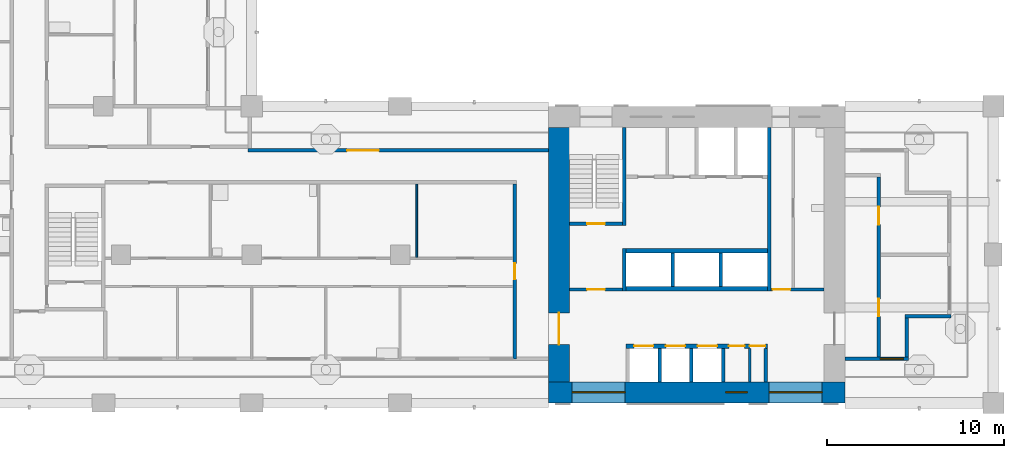
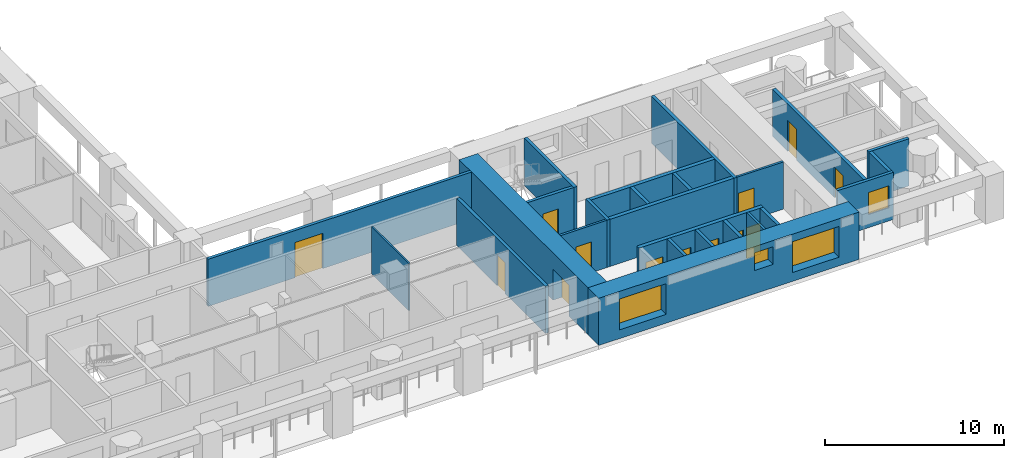
# One storey, part 5 of 18: 25 walls, 13 doors, 4 windows, 17 openings.
"""IFC4 building model written with IfcOpenShell, lengths in metres."""

from ifc_helpers import new_model, si_unit, direction, frame, frame_2d, origin, place, context, subcontext, project, spatial, rectangle, extrude, material, layer, layer_set, type_object, element, fill, save


model = new_model("IFC4")

# Units and contexts
model_context = context("Model", 3, precision=1e-05, world=origin(), true_north=direction((0.0, 1.0)))
body_context = subcontext(model_context, "Body", "Model", "MODEL_VIEW")
ifc_project = project(units=[si_unit("LENGTHUNIT", "METRE"), si_unit("AREAUNIT", "SQUARE_METRE"), si_unit("VOLUMEUNIT", "CUBIC_METRE"), si_unit("PLANEANGLEUNIT", "RADIAN"), si_unit("MASSUNIT", "GRAM", prefix="KILO")], contexts=[model_context])

# Site, building, storey
site_placement = place(None, origin())
site = spatial("IfcSite", under=ifc_project, at=site_placement, CompositionType="ELEMENT")
building_placement = place(site_placement, origin())
building = spatial("IfcBuilding", under=site, at=building_placement, Name="Vermilion Gate Residences", CompositionType="ELEMENT")
storey_placement = place(building_placement, frame((0.0, 0.0, 102.199951171875)))
storey = spatial("IfcBuildingStorey", under=building, at=storey_placement, Name="L25", CompositionType="ELEMENT", Elevation=102.199951171875)

# Wall
ifc_material_1 = material(Name="Masonry blockwork", Category="masonry")
ifc_layer_1 = layer(ifc_material_1, 0.14990234375)
ifc_layer_set_1 = layer_set([ifc_layer_1], Name="BLOCKWORK PARTITION 150 EI 120")
wall_type_1 = type_object("IfcWallType", Name="BLOCKWORK PARTITION 150 EI 120", PredefinedType="PARTITIONING", material=ifc_layer_set_1)
wall_1_placement = place(storey_placement, frame((53.407470703125, 9.60009765625, 0.0), z_axis=(0.0, 0.0, 1.0), x_axis=(0.0, 1.0, 0.0)))
element("IfcWall", 1, at=wall_1_placement, inside=storey, type_object=wall_type_1, Name="Core room partition A25-SR-P0", PredefinedType="PARTITIONING", context=body_context, shape_type="SweptSolid", body=[
    extrude(rectangle(XDim=1.89990234375, YDim=0.14990234375, at=frame_2d((0.949951171875, 0.0))), origin(), (0.0, 0.0, 1.0), 3.219970703125),
])

# Wall, opening, door
wall_2_placement = place(storey_placement, frame((43.199951171875, 14.824951171875, 0.0), z_axis=(0.0, 0.0, 1.0), x_axis=(1.0, 0.0, 0.0)))
wall_2 = element("IfcWall", 2, at=wall_2_placement, inside=storey, type_object=wall_type_1, Name="Core room partition A25-VW-S", PredefinedType="PARTITIONING", context=body_context, shape_type="SweptSolid", body=[
    extrude(rectangle(XDim=3.0, YDim=0.14990234375, at=frame_2d((1.5, 0.0))), origin(), (0.0, 0.0, 1.0), 3.219970703125),
])
opening_1_placement = place(wall_2_placement, frame((1.0, 0.0, 0.0)))
opening_1 = element("IfcOpeningElement", 3, at=opening_1_placement, cuts=wall_2, Name="Opening DK25012", PredefinedType="OPENING", context=body_context, shape_type="SweptSolid", body=[
    extrude(rectangle(XDim=1.0, YDim=2.10009765625, at=frame_2d((0.5, 1.050048828125))), frame((0.0, 0.0849609375, 0.0), z_axis=(0.0, -1.0, 0.0), x_axis=(1.0, 0.0, 0.0)), (0.0, 0.0, 1.0), 0.169921875),
])
ifc_material_2 = material(Name="Steel", Category="steel")
door_type_1 = type_object("IfcDoorType", Name="FIRE DOOR FD60 1000 X 2100", OperationType="SINGLE_SWING_LEFT", PredefinedType="DOOR", material=ifc_material_2)
door_1_placement = place(opening_1_placement, frame((1.0, 0.0, 0.0), z_axis=(0.0, 0.0, 1.0), x_axis=(-1.0, 0.0, 0.0)))
door_1 = element("IfcDoor", 4, at=door_1_placement, inside=storey, type_object=door_type_1, Name="Stair vestibule door A25", OperationType="SINGLE_SWING_RIGHT", OverallHeight=2.10009765625, OverallWidth=1.0, PredefinedType="DOOR", context=body_context, shape_type="SweptSolid", body=[
    extrude(rectangle(XDim=1.0, YDim=2.10009765625, at=frame_2d((0.5, 1.050048828125))), frame((0.0, 0.02490234375, 0.0), z_axis=(0.0, -1.0, 0.0), x_axis=(1.0, 0.0, 0.0)), (0.0, 0.0, 1.0), 0.050048828125),
])
fill(opening_1, door_1)

wall_3_placement = place(storey_placement, frame((54.60009765625, 14.824951171875, 0.0), z_axis=(0.0, 0.0, 1.0), x_axis=(1.0, 0.0, 0.0)))
wall_3 = element("IfcWall", 5, at=wall_3_placement, inside=storey, type_object=wall_type_1, Name="Core room partition A25-ES-S", PredefinedType="PARTITIONING", context=body_context, shape_type="SweptSolid", body=[
    extrude(rectangle(XDim=3.0, YDim=0.14990234375, at=frame_2d((1.5, 0.0))), origin(), (0.0, 0.0, 1.0), 3.219970703125),
])
opening_2_placement = place(wall_3_placement, frame((0.10009765625, 0.0, 0.0)))
opening_2 = element("IfcOpeningElement", 6, at=opening_2_placement, cuts=wall_3, Name="Opening DK25014", PredefinedType="OPENING", context=body_context, shape_type="SweptSolid", body=[
    extrude(rectangle(XDim=1.0, YDim=2.10009765625, at=frame_2d((0.5, 1.050048828125))), frame((0.0, 0.0849609375, 0.0), z_axis=(0.0, -1.0, 0.0), x_axis=(1.0, 0.0, 0.0)), (0.0, 0.0, 1.0), 0.169921875),
])
door_2_placement = place(opening_2_placement, frame((1.0, 0.0, 0.0), z_axis=(0.0, 0.0, 1.0), x_axis=(-1.0, 0.0, 0.0)))
door_2 = element("IfcDoor", 7, at=door_2_placement, inside=storey, type_object=door_type_1, Name="Service corridor door A25", OperationType="SINGLE_SWING_LEFT", OverallHeight=2.10009765625, OverallWidth=1.0, PredefinedType="DOOR", context=body_context, shape_type="SweptSolid", body=[
    extrude(rectangle(XDim=1.0, YDim=2.10009765625, at=frame_2d((0.5, 1.050048828125))), frame((0.0, 0.02490234375, 0.0), z_axis=(0.0, -1.0, 0.0), x_axis=(1.0, 0.0, 0.0)), (0.0, 0.0, 1.0), 0.050048828125),
])
fill(opening_2, door_2)

# Wall, opening, window
ifc_material_3 = material(Name="Insulated steel stud wall with terracotta rainscreen", Category="masonry")
ifc_layer_2 = layer(ifc_material_3, 0.199951171875)
ifc_layer_set_2 = layer_set([ifc_layer_2], Name="EXTERNAL WALL 200 TERRACOTTA RAINSCREEN")
wall_type_2 = type_object("IfcWallType", Name="EXTERNAL WALL 200 TERRACOTTA RAINSCREEN", PredefinedType="SOLIDWALL", material=ifc_layer_set_2)
wall_4_placement = place(storey_placement, frame((58.800048828125, 10.89990234375, 0.0), z_axis=(0.0, 0.0, 1.0), x_axis=(1.0, 0.0, 0.0)))
wall_4 = element("IfcWall", 8, at=wall_4_placement, inside=storey, type_object=wall_type_2, Name="External wall", PredefinedType="SOLIDWALL", context=body_context, shape_type="SweptSolid", body=[
    extrude(rectangle(XDim=3.599853515625, YDim=0.199951171875, at=frame_2d((1.7998046875, 0.0))), origin(), (0.0, 0.0, 1.0), 3.219970703125),
])
opening_3_placement = place(wall_4_placement, frame((2.0, 0.0, 0.89990234375)))
opening_3 = element("IfcOpeningElement", 9, at=opening_3_placement, cuts=wall_4, Name="Opening WE25020", PredefinedType="OPENING", context=body_context, shape_type="SweptSolid", body=[
    extrude(rectangle(XDim=1.300048828125, YDim=1.5, at=frame_2d((0.64990234375, 0.75))), frame((0.0, 0.10986328125, 0.0), z_axis=(0.0, -1.0, 0.0), x_axis=(1.0, 0.0, 0.0)), (0.0, 0.0, 1.0), 0.219970703125),
])
ifc_material_4 = material(Name="Aluminium and clear glass", Category="aluminium")
window_type_1 = type_object("IfcWindowType", Name="WINDOW 1300 X 1500", PartitioningType="SINGLE_PANEL", PredefinedType="WINDOW", material=ifc_material_4)
window_1_placement = place(opening_3_placement, origin())
window_1 = element("IfcWindow", 10, at=window_1_placement, inside=storey, type_object=window_type_1, Name="Window", OverallHeight=1.5, OverallWidth=1.300048828125, PartitioningType="SINGLE_PANEL", PredefinedType="WINDOW", context=body_context, shape_type="SweptSolid", body=[
    extrude(rectangle(XDim=1.300048828125, YDim=1.5, at=frame_2d((0.64990234375, 0.75))), frame((0.0, 0.030029296875, 0.0), z_axis=(0.0, -1.0, 0.0), x_axis=(1.0, 0.0, 0.0)), (0.0, 0.0, 1.0), 0.06005859375),
])
fill(opening_3, window_1)

# Walls
wall_5_placement = place(storey_placement, frame((62.300048828125, 11.0, 0.0), z_axis=(0.0, 0.0, 1.0), x_axis=(0.0, 1.0, 0.0)))
element("IfcWall", 11, at=wall_5_placement, inside=storey, type_object=wall_type_2, Name="External wall", PredefinedType="SOLIDWALL", context=body_context, shape_type="SweptSolid", body=[
    extrude(rectangle(XDim=2.199951171875, YDim=0.199951171875, at=frame_2d((1.10009765625, 0.0))), origin(), (0.0, 0.0, 1.0), 3.219970703125),
])
wall_6_placement = place(storey_placement, frame((62.199951171875, 13.300048828125, 0.0), z_axis=(0.0, 0.0, 1.0), x_axis=(1.0, 0.0, 0.0)))
element("IfcWall", 12, at=wall_6_placement, inside=storey, type_object=wall_type_2, Name="External wall", PredefinedType="SOLIDWALL", context=body_context, shape_type="SweptSolid", body=[
    extrude(rectangle(XDim=2.60009765625, YDim=0.199951171875, at=frame_2d((1.300048828125, 0.0))), origin(), (0.0, 0.0, 1.0), 3.219970703125),
])

# Wall, opening, door
wall_7_placement = place(storey_placement, frame((42.0, 22.699951171875, 0.0), z_axis=(0.0, 0.0, 1.0), x_axis=(-1.0, 0.0, 0.0)))
wall_7 = element("IfcWall", 13, at=wall_7_placement, inside=storey, type_object=wall_type_2, Name="External wall", PredefinedType="SOLIDWALL", context=body_context, shape_type="SweptSolid", body=[
    extrude(rectangle(XDim=17.0, YDim=0.199951171875, at=frame_2d((8.5, 0.0))), origin(), (0.0, 0.0, 1.0), 3.219970703125),
])
opening_4_placement = place(wall_7_placement, frame((9.60009765625, 0.0, 0.0)))
opening_4 = element("IfcOpeningElement", 14, at=opening_4_placement, cuts=wall_7, Name="Opening DE25029", PredefinedType="OPENING", context=body_context, shape_type="SweptSolid", body=[
    extrude(rectangle(XDim=1.800048828125, YDim=2.39990234375, at=frame_2d((0.89990234375, 1.199951171875))), frame((0.0, 0.10986328125, 0.0), z_axis=(0.0, -1.0, 0.0), x_axis=(1.0, 0.0, 0.0)), (0.0, 0.0, 1.0), 0.219970703125),
])
ifc_material_5 = material(Name="Aluminium and clear glass", Category="aluminium")
door_type_2 = type_object("IfcDoorType", Name="GLAZED EXTERNAL DOOR 1800 X 2400", OperationType="DOUBLE_DOOR_SINGLE_SWING", PredefinedType="DOOR", material=ifc_material_5)
door_3_placement = place(opening_4_placement, frame((1.800048828125, 0.0, 0.0), z_axis=(0.0, 0.0, 1.0), x_axis=(-1.0, 0.0, 0.0)))
door_3 = element("IfcDoor", 15, at=door_3_placement, inside=storey, type_object=door_type_2, Name="Gallery door", OperationType="DOUBLE_DOOR_SINGLE_SWING", OverallHeight=2.39990234375, OverallWidth=1.800048828125, PredefinedType="DOOR", context=body_context, shape_type="SweptSolid", body=[
    extrude(rectangle(XDim=1.800048828125, YDim=2.39990234375, at=frame_2d((0.89990234375, 1.199951171875))), frame((0.0, 0.02490234375, 0.0), z_axis=(0.0, -1.0, 0.0), x_axis=(1.0, 0.0, 0.0)), (0.0, 0.0, 1.0), 0.050048828125),
])
fill(opening_4, door_3)

# Wall
ifc_material_6 = material(Name="Plasterboard on steel studs", Category="steel")
ifc_layer_3 = layer(ifc_material_6, 0.10009765625)
ifc_layer_set_3 = layer_set([ifc_layer_3], Name="PARTITION 100")
wall_type_3 = type_object("IfcWallType", Name="PARTITION 100", PredefinedType="PARTITIONING", material=ifc_layer_set_3)
wall_8_placement = place(storey_placement, frame((34.550048828125, 16.64990234375, 0.0), z_axis=(0.0, 0.0, 1.0), x_axis=(0.0, 1.0, 0.0)))
element("IfcWall", 16, at=wall_8_placement, inside=storey, type_object=wall_type_3, Name="Partition", PredefinedType="PARTITIONING", context=body_context, shape_type="SweptSolid", body=[
    extrude(rectangle(XDim=4.150146484375, YDim=0.10009765625, at=frame_2d((2.0751953125, 0.0))), origin(), (0.0, 0.0, 1.0), 3.219970703125),
])

# Wall, opening, door
ifc_material_7 = material(Name="Fire-rated plasterboard on steel studs", Category="steel")
ifc_layer_4 = layer(ifc_material_7, 0.199951171875)
ifc_layer_set_4 = layer_set([ifc_layer_4], Name="PARTY WALL 200 EI 120")
wall_type_4 = type_object("IfcWallType", Name="PARTY WALL 200 EI 120", PredefinedType="PARTITIONING", material=ifc_layer_set_4)
wall_9_placement = place(storey_placement, frame((40.10009765625, 10.89990234375, 0.0), z_axis=(0.0, 0.0, 1.0), x_axis=(0.0, 1.0, 0.0)))
wall_9 = element("IfcWall", 17, at=wall_9_placement, inside=storey, type_object=wall_type_4, Name="Party and corridor wall", PredefinedType="PARTITIONING", context=body_context, shape_type="SweptSolid", body=[
    extrude(rectangle(XDim=9.900146484375, YDim=0.199951171875, at=frame_2d((4.9501953125, 0.0))), origin(), (0.0, 0.0, 1.0), 3.219970703125),
])
opening_5_placement = place(wall_9_placement, frame((4.5, 0.0, 0.0)))
opening_5 = element("IfcOpeningElement", 18, at=opening_5_placement, cuts=wall_9, Name="Opening DA25041", PredefinedType="OPENING", context=body_context, shape_type="SweptSolid", body=[
    extrude(rectangle(XDim=0.89990234375, YDim=2.10009765625, at=frame_2d((0.449951171875, 1.050048828125))), frame((0.0, 0.10986328125, 0.0), z_axis=(0.0, -1.0, 0.0), x_axis=(1.0, 0.0, 0.0)), (0.0, 0.0, 1.0), 0.219970703125),
])
ifc_material_8 = material(Name="Timber", Category="wood")
door_type_3 = type_object("IfcDoorType", Name="INTERIOR DOOR 900 X 2100", OperationType="SINGLE_SWING_LEFT", PredefinedType="DOOR", material=ifc_material_8)
door_4_placement = place(opening_5_placement, origin())
door_4 = element("IfcDoor", 19, at=door_4_placement, inside=storey, type_object=door_type_3, Name="Interior door", OperationType="SINGLE_SWING_RIGHT", OverallHeight=2.10009765625, OverallWidth=0.89990234375, PredefinedType="DOOR", context=body_context, shape_type="SweptSolid", body=[
    extrude(rectangle(XDim=0.89990234375, YDim=2.10009765625, at=frame_2d((0.449951171875, 1.050048828125))), frame((0.0, 0.02490234375, 0.0), z_axis=(0.0, -1.0, 0.0), x_axis=(1.0, 0.0, 0.0)), (0.0, 0.0, 1.0), 0.050048828125),
])
fill(opening_5, door_4)

# Wall, openings, doors
wall_10_placement = place(storey_placement, frame((60.699951171875, 10.89990234375, 0.0), z_axis=(0.0, 0.0, 1.0), x_axis=(0.0, 1.0, 0.0)))
wall_10 = element("IfcWall", 20, at=wall_10_placement, inside=storey, type_object=wall_type_4, Name="Party and corridor wall", PredefinedType="PARTITIONING", context=body_context, shape_type="SweptSolid", body=[
    extrude(rectangle(XDim=10.300048828125, YDim=0.199951171875, at=frame_2d((5.14990234375, 0.0))), origin(), (0.0, 0.0, 1.0), 3.219970703125),
])
opening_6_placement = place(wall_10_placement, frame((2.39990234375, 0.0, 0.0)))
opening_6 = element("IfcOpeningElement", 21, at=opening_6_placement, cuts=wall_10, Name="Opening DA25042", PredefinedType="OPENING", context=body_context, shape_type="SweptSolid", body=[
    extrude(rectangle(XDim=1.0, YDim=2.10009765625, at=frame_2d((0.5, 1.050048828125))), frame((0.0, 0.10986328125, 0.0), z_axis=(0.0, -1.0, 0.0), x_axis=(1.0, 0.0, 0.0)), (0.0, 0.0, 1.0), 0.219970703125),
])
opening_7_placement = place(wall_10_placement, frame((7.60009765625, 0.0, 0.0)))
opening_7 = element("IfcOpeningElement", 22, at=opening_7_placement, cuts=wall_10, Name="Opening DA25043", PredefinedType="OPENING", context=body_context, shape_type="SweptSolid", body=[
    extrude(rectangle(XDim=1.0, YDim=2.10009765625, at=frame_2d((0.5, 1.050048828125))), frame((0.0, 0.10986328125, 0.0), z_axis=(0.0, -1.0, 0.0), x_axis=(1.0, 0.0, 0.0)), (0.0, 0.0, 1.0), 0.219970703125),
])
ifc_material_9 = material(Name="Steel", Category="steel")
door_type_4 = type_object("IfcDoorType", Name="ENTRANCE DOOR 1000 X 2100 FD30", OperationType="SINGLE_SWING_LEFT", PredefinedType="DOOR", material=ifc_material_9)
door_5_placement = place(opening_6_placement, frame((1.0, 0.0, 0.0), z_axis=(0.0, 0.0, 1.0), x_axis=(-1.0, 0.0, 0.0)))
door_5 = element("IfcDoor", 23, at=door_5_placement, inside=storey, type_object=door_type_4, Name="Entrance door", OperationType="SINGLE_SWING_RIGHT", OverallHeight=2.10009765625, OverallWidth=1.0, PredefinedType="DOOR", context=body_context, shape_type="SweptSolid", body=[
    extrude(rectangle(XDim=1.0, YDim=2.10009765625, at=frame_2d((0.5, 1.050048828125))), frame((0.0, 0.02490234375, 0.0), z_axis=(0.0, -1.0, 0.0), x_axis=(1.0, 0.0, 0.0)), (0.0, 0.0, 1.0), 0.050048828125),
])
fill(opening_6, door_5)
door_6_placement = place(opening_7_placement, frame((1.0, 0.0, 0.0), z_axis=(0.0, 0.0, 1.0), x_axis=(-1.0, 0.0, 0.0)))
door_6 = element("IfcDoor", 24, at=door_6_placement, inside=storey, type_object=door_type_4, Name="Entrance door", OperationType="SINGLE_SWING_RIGHT", OverallHeight=2.10009765625, OverallWidth=1.0, PredefinedType="DOOR", context=body_context, shape_type="SweptSolid", body=[
    extrude(rectangle(XDim=1.0, YDim=2.10009765625, at=frame_2d((0.5, 1.050048828125))), frame((0.0, 0.02490234375, 0.0), z_axis=(0.0, -1.0, 0.0), x_axis=(1.0, 0.0, 0.0)), (0.0, 0.0, 1.0), 0.050048828125),
])
fill(opening_7, door_6)

# Walls
ifc_material_10 = material(Name="Concrete C60", Category="concrete")
ifc_layer_5 = layer(ifc_material_10, 0.199951171875)
ifc_layer_set_5 = layer_set([ifc_layer_5], Name="RC CORE INTERNAL WALL 200 C60")
wall_type_5 = type_object("IfcWallType", Name="RC CORE INTERNAL WALL 200 C60", PredefinedType="SHEAR", material=ifc_layer_set_5)
for number, where, z_axis, x_axis, name in (
    (25, (48.300048828125, 9.60009765625, 0.0), (0.0, 0.0, 1.0), (0.0, 1.0, 0.0), "Core internal wall A25-LR-D1"),
    (26, (50.10009765625, 9.60009765625, 0.0), (0.0, 0.0, 1.0), (0.0, 1.0, 0.0), "Core internal wall A25-LR-D2"),
    (27, (51.89990234375, 9.60009765625, 0.0), (0.0, 0.0, 1.0), (0.0, 1.0, 0.0), "Core internal wall A25-LR-D3"),
    (28, (54.300048828125, 9.60009765625, 0.0), (0.0, 0.0, 1.0), (0.0, 1.0, 0.0), "Core internal wall A25-LR-DE"),
    (29, (49.033447265625, 15.0, 0.0), (0.0, 0.0, 1.0), (0.0, 1.0, 0.0), "Core internal wall A25-HR-D1"),
    (30, (51.7666015625, 15.0, 0.0), (0.0, 0.0, 1.0), (0.0, 1.0, 0.0), "Core internal wall A25-HR-D2"),
):
    element("IfcWall", number, at=place(storey_placement, frame(where, z_axis=z_axis, x_axis=x_axis)), inside=storey, type_object=wall_type_5, Name=name, PredefinedType="SHEAR", context=body_context, shape_type="SweptSolid", body=[
        extrude(rectangle(XDim=1.89990234375, YDim=0.199951171875, at=frame_2d((0.949951171875, 0.0))), origin(), (0.0, 0.0, 1.0), 3.219970703125),
    ])
wall_11_placement = place(storey_placement, frame((46.300048828125, 14.75, 0.0), z_axis=(0.0, 0.0, 1.0), x_axis=(0.0, 1.0, 0.0)))
element("IfcWall", 31, at=wall_11_placement, inside=storey, type_object=wall_type_5, Name="Core internal wall A25-WDIV1", PredefinedType="SHEAR", context=body_context, shape_type="SweptSolid", body=[
    extrude(rectangle(XDim=2.39990234375, YDim=0.199951171875, at=frame_2d((1.199951171875, 0.0))), origin(), (0.0, 0.0, 1.0), 3.219970703125),
])
wall_12_placement = place(storey_placement, frame((46.300048828125, 18.449951171875, 0.0), z_axis=(0.0, 0.0, 1.0), x_axis=(0.0, 1.0, 0.0)))
element("IfcWall", 32, at=wall_12_placement, inside=storey, type_object=wall_type_5, Name="Core internal wall A25-WDIV2", PredefinedType="SHEAR", context=body_context, shape_type="SweptSolid", body=[
    extrude(rectangle(XDim=5.550048828125, YDim=0.199951171875, at=frame_2d((2.77490234375, 0.0))), origin(), (0.0, 0.0, 1.0), 3.219970703125),
])

# Wall, opening, door
wall_13_placement = place(storey_placement, frame((43.199951171875, 18.550048828125, 0.0), z_axis=(0.0, 0.0, 1.0), x_axis=(1.0, 0.0, 0.0)))
wall_13 = element("IfcWall", 33, at=wall_13_placement, inside=storey, type_object=wall_type_5, Name="Core internal wall A25-STW-S", PredefinedType="SHEAR", context=body_context, shape_type="SweptSolid", body=[
    extrude(rectangle(XDim=3.0, YDim=0.199951171875, at=frame_2d((1.5, 0.0))), origin(), (0.0, 0.0, 1.0), 3.219970703125),
])
opening_8_placement = place(wall_13_placement, frame((1.0, 0.0, 0.0)))
opening_8 = element("IfcOpeningElement", 34, at=opening_8_placement, cuts=wall_13, Name="Opening DK25013", PredefinedType="OPENING", context=body_context, shape_type="SweptSolid", body=[
    extrude(rectangle(XDim=1.0, YDim=2.10009765625, at=frame_2d((0.5, 1.050048828125))), frame((0.0, 0.10986328125, 0.0), z_axis=(0.0, -1.0, 0.0), x_axis=(1.0, 0.0, 0.0)), (0.0, 0.0, 1.0), 0.219970703125),
])
door_7_placement = place(opening_8_placement, origin())
door_7 = element("IfcDoor", 35, at=door_7_placement, inside=storey, type_object=door_type_1, Name="Stair door A25", OperationType="SINGLE_SWING_LEFT", OverallHeight=2.10009765625, OverallWidth=1.0, PredefinedType="DOOR", context=body_context, shape_type="SweptSolid", body=[
    extrude(rectangle(XDim=1.0, YDim=2.10009765625, at=frame_2d((0.5, 1.050048828125))), frame((0.0, 0.02490234375, 0.0), z_axis=(0.0, -1.0, 0.0), x_axis=(1.0, 0.0, 0.0)), (0.0, 0.0, 1.0), 0.050048828125),
])
fill(opening_8, door_7)

# Wall
wall_14_placement = place(storey_placement, frame((54.5, 14.75, 0.0), z_axis=(0.0, 0.0, 1.0), x_axis=(0.0, 1.0, 0.0)))
element("IfcWall", 36, at=wall_14_placement, inside=storey, type_object=wall_type_5, Name="Core internal wall A25-EDIV", PredefinedType="SHEAR", context=body_context, shape_type="SweptSolid", body=[
    extrude(rectangle(XDim=9.25, YDim=0.199951171875, at=frame_2d((4.625, 0.0))), origin(), (0.0, 0.0, 1.0), 3.219970703125),
])

# Wall, opening, door
ifc_material_11 = material(Name="Concrete C70", Category="concrete")
ifc_layer_6 = layer(ifc_material_11, 1.199951171875)
ifc_layer_set_6 = layer_set([ifc_layer_6], Name="RC CORE WALL 1200 C70")
wall_type_6 = type_object("IfcWallType", Name="RC CORE WALL 1200 C70", PredefinedType="SHEAR", material=ifc_layer_set_6)
wall_15_placement = place(storey_placement, frame((42.60009765625, 9.60009765625, 0.0), z_axis=(0.0, 0.0, 1.0), x_axis=(0.0, 1.0, 0.0)))
wall_15 = element("IfcWall", 37, at=wall_15_placement, inside=storey, type_object=wall_type_6, Name="Core wall A25-OUT-FR", PredefinedType="SHEAR", context=body_context, shape_type="SweptSolid", body=[
    extrude(rectangle(XDim=14.39990234375, YDim=1.199951171875, at=frame_2d((7.199951171875, 0.0))), origin(), (0.0, 0.0, 1.0), 3.219970703125),
])
opening_9_placement = place(wall_15_placement, frame((2.10009765625, 0.0, 0.0)))
opening_9 = element("IfcOpeningElement", 38, at=opening_9_placement, cuts=wall_15, Name="Opening DK25001", PredefinedType="OPENING", context=body_context, shape_type="SweptSolid", body=[
    extrude(rectangle(XDim=1.800048828125, YDim=2.10009765625, at=frame_2d((0.89990234375, 1.050048828125))), frame((0.0, 0.60986328125, 0.0), z_axis=(0.0, -1.0, 0.0), x_axis=(1.0, 0.0, 0.0)), (0.0, 0.0, 1.0), 1.219970703125),
])
ifc_material_12 = material(Name="Steel", Category="steel")
door_type_5 = type_object("IfcDoorType", Name="CORE LOBBY DOOR FD60 1800 X 2100", OperationType="DOUBLE_DOOR_SINGLE_SWING", PredefinedType="DOOR", material=ifc_material_12)
door_8_placement = place(opening_9_placement, frame((1.800048828125, 0.0, 0.0), z_axis=(0.0, 0.0, 1.0), x_axis=(-1.0, 0.0, 0.0)))
door_8 = element("IfcDoor", 39, at=door_8_placement, inside=storey, type_object=door_type_5, Name="Core lobby door A25", OperationType="DOUBLE_DOOR_SINGLE_SWING", OverallHeight=2.10009765625, OverallWidth=1.800048828125, PredefinedType="DOOR", context=body_context, shape_type="SweptSolid", body=[
    extrude(rectangle(XDim=1.800048828125, YDim=2.10009765625, at=frame_2d((0.89990234375, 1.050048828125))), frame((0.0, 0.02490234375, 0.0), z_axis=(0.0, -1.0, 0.0), x_axis=(1.0, 0.0, 0.0)), (0.0, 0.0, 1.0), 0.050048828125),
])
fill(opening_9, door_8)

# Wall, openings, windows
ifc_material_13 = material(Name="Concrete C70 red-oxide pigmented", Category="concrete")
ifc_layer_7 = layer(ifc_material_13, 1.199951171875)
ifc_layer_set_7 = layer_set([ifc_layer_7], Name="RC CORE WALL 1200 C70 RED OXIDE")
wall_type_7 = type_object("IfcWallType", Name="RC CORE WALL 1200 C70 RED OXIDE", PredefinedType="SHEAR", material=ifc_layer_set_7)
wall_16_placement = place(storey_placement, frame((42.0, 9.0, 0.0), z_axis=(0.0, 0.0, 1.0), x_axis=(1.0, 0.0, 0.0)))
wall_16 = element("IfcWall", 40, at=wall_16_placement, inside=storey, type_object=wall_type_7, Name="Core wall A25-OUT-B0", PredefinedType="SHEAR", context=body_context, shape_type="SweptSolid", body=[
    extrude(rectangle(XDim=16.800048828125, YDim=1.199951171875, at=frame_2d((8.39990234375, 0.0))), origin(), (0.0, 0.0, 1.0), 3.219970703125),
])
opening_10_placement = place(wall_16_placement, frame((1.35009765625, 0.0, 0.60009765625)))
opening_10 = element("IfcOpeningElement", 41, at=opening_10_placement, cuts=wall_16, Name="Opening WKA2501", PredefinedType="OPENING", context=body_context, shape_type="SweptSolid", body=[
    extrude(rectangle(XDim=3.0, YDim=2.10009765625, at=frame_2d((1.5, 1.050048828125))), frame((0.0, 0.60986328125, 0.0), z_axis=(0.0, -1.0, 0.0), x_axis=(1.0, 0.0, 0.0)), (0.0, 0.0, 1.0), 1.219970703125),
])
opening_11_placement = place(wall_16_placement, frame((10.050048828125, 0.0, 1.60009765625)))
opening_11 = element("IfcOpeningElement", 42, at=opening_11_placement, cuts=wall_16, Name="Opening WKA2502", PredefinedType="OPENING", context=body_context, shape_type="SweptSolid", body=[
    extrude(rectangle(XDim=1.199951171875, YDim=1.199951171875, at=frame_2d((0.60009765625, 0.60009765625))), frame((0.0, 0.60986328125, 0.0), z_axis=(0.0, -1.0, 0.0), x_axis=(1.0, 0.0, 0.0)), (0.0, 0.0, 1.0), 1.219970703125),
])
opening_12_placement = place(wall_16_placement, frame((12.5, 0.0, 0.60009765625)))
opening_12 = element("IfcOpeningElement", 43, at=opening_12_placement, cuts=wall_16, Name="Opening WKA2503", PredefinedType="OPENING", context=body_context, shape_type="SweptSolid", body=[
    extrude(rectangle(XDim=3.0, YDim=2.10009765625, at=frame_2d((1.5, 1.050048828125))), frame((0.0, 0.60986328125, 0.0), z_axis=(0.0, -1.0, 0.0), x_axis=(1.0, 0.0, 0.0)), (0.0, 0.0, 1.0), 1.219970703125),
])
ifc_material_14 = material(Name="Aluminium and clear glass", Category="aluminium")
window_type_2 = type_object("IfcWindowType", Name="CORE LOBBY WINDOW 3000 X 2100", PartitioningType="SINGLE_PANEL", PredefinedType="WINDOW", material=ifc_material_14)
window_2_placement = place(opening_10_placement, origin())
window_2 = element("IfcWindow", 44, at=window_2_placement, inside=storey, type_object=window_type_2, Name="Core lobby window", OverallHeight=2.10009765625, OverallWidth=3.0, PartitioningType="SINGLE_PANEL", PredefinedType="WINDOW", context=body_context, shape_type="SweptSolid", body=[
    extrude(rectangle(XDim=3.0, YDim=2.10009765625, at=frame_2d((1.5, 1.050048828125))), frame((0.0, 0.030029296875, 0.0), z_axis=(0.0, -1.0, 0.0), x_axis=(1.0, 0.0, 0.0)), (0.0, 0.0, 1.0), 0.06005859375),
])
fill(opening_10, window_2)
window_3_placement = place(opening_12_placement, origin())
window_3 = element("IfcWindow", 45, at=window_3_placement, inside=storey, type_object=window_type_2, Name="Core lobby window", OverallHeight=2.10009765625, OverallWidth=3.0, PartitioningType="SINGLE_PANEL", PredefinedType="WINDOW", context=body_context, shape_type="SweptSolid", body=[
    extrude(rectangle(XDim=3.0, YDim=2.10009765625, at=frame_2d((1.5, 1.050048828125))), frame((0.0, 0.030029296875, 0.0), z_axis=(0.0, -1.0, 0.0), x_axis=(1.0, 0.0, 0.0)), (0.0, 0.0, 1.0), 0.06005859375),
])
fill(opening_12, window_3)
ifc_material_15 = material(Name="Aluminium frame with louvre blades", Category="aluminium")
window_type_3 = type_object("IfcWindowType", Name="CORE LOUVRE 1200 X 1200", PartitioningType="SINGLE_PANEL", PredefinedType="WINDOW", material=ifc_material_15)
window_4_placement = place(opening_11_placement, origin())
window_4 = element("IfcWindow", 46, at=window_4_placement, inside=storey, type_object=window_type_3, Name="Core louvre", OverallHeight=1.199951171875, OverallWidth=1.199951171875, PartitioningType="SINGLE_PANEL", PredefinedType="WINDOW", context=body_context, shape_type="SweptSolid", body=[
    extrude(rectangle(XDim=1.199951171875, YDim=1.199951171875, at=frame_2d((0.60009765625, 0.60009765625))), frame((0.0, 0.030029296875, 0.0), z_axis=(0.0, -1.0, 0.0), x_axis=(1.0, 0.0, 0.0)), (0.0, 0.0, 1.0), 0.06005859375),
])
fill(opening_11, window_4)

# Wall, openings, doors
ifc_material_16 = material(Name="Concrete C60", Category="concrete")
ifc_layer_8 = layer(ifc_material_16, 0.25)
ifc_layer_set_8 = layer_set([ifc_layer_8], Name="RC LIFT SHAFT WALL 250 C60")
wall_type_8 = type_object("IfcWallType", Name="RC LIFT SHAFT WALL 250 C60", PredefinedType="SHEAR", material=ifc_layer_set_8)
wall_17_placement = place(storey_placement, frame((46.39990234375, 11.625, 0.0), z_axis=(0.0, 0.0, 1.0), x_axis=(1.0, 0.0, 0.0)))
wall_17 = element("IfcWall", 47, at=wall_17_placement, inside=storey, type_object=wall_type_8, Name="Lift shaft wall A25-LR-F", PredefinedType="SHEAR", context=body_context, shape_type="SweptSolid", body=[
    extrude(rectangle(XDim=8.0, YDim=0.25, at=frame_2d((4.0, 0.0))), origin(), (0.0, 0.0, 1.0), 3.219970703125),
])
opening_13_placement = place(wall_17_placement, frame((0.449951171875, 0.0, 0.0)))
opening_13 = element("IfcOpeningElement", 48, at=opening_13_placement, cuts=wall_17, Name="Opening LD", PredefinedType="OPENING", context=body_context, shape_type="SweptSolid", body=[
    extrude(rectangle(XDim=1.10009765625, YDim=2.10009765625, at=frame_2d((0.550048828125, 1.050048828125))), frame((0.0, 0.135009765625, 0.0), z_axis=(0.0, -1.0, 0.0), x_axis=(1.0, 0.0, 0.0)), (0.0, 0.0, 1.0), 0.27001953125),
])
opening_14_placement = place(wall_17_placement, frame((2.25, 0.0, 0.0)))
opening_14 = element("IfcOpeningElement", 49, at=opening_14_placement, cuts=wall_17, Name="Opening LD", PredefinedType="OPENING", context=body_context, shape_type="SweptSolid", body=[
    extrude(rectangle(XDim=1.10009765625, YDim=2.10009765625, at=frame_2d((0.550048828125, 1.050048828125))), frame((0.0, 0.135009765625, 0.0), z_axis=(0.0, -1.0, 0.0), x_axis=(1.0, 0.0, 0.0)), (0.0, 0.0, 1.0), 0.27001953125),
])
opening_15_placement = place(wall_17_placement, frame((4.050048828125, 0.0, 0.0)))
opening_15 = element("IfcOpeningElement", 50, at=opening_15_placement, cuts=wall_17, Name="Opening LD", PredefinedType="OPENING", context=body_context, shape_type="SweptSolid", body=[
    extrude(rectangle(XDim=1.10009765625, YDim=2.10009765625, at=frame_2d((0.550048828125, 1.050048828125))), frame((0.0, 0.135009765625, 0.0), z_axis=(0.0, -1.0, 0.0), x_axis=(1.0, 0.0, 0.0)), (0.0, 0.0, 1.0), 0.27001953125),
])
opening_16_placement = place(wall_17_placement, frame((5.816162109375, 0.0, 0.0)))
opening_16 = element("IfcOpeningElement", 51, at=opening_16_placement, cuts=wall_17, Name="Opening DK25006", PredefinedType="OPENING", context=body_context, shape_type="SweptSolid", body=[
    extrude(rectangle(XDim=0.89990234375, YDim=2.10009765625, at=frame_2d((0.449951171875, 1.050048828125))), frame((0.0, 0.135009765625, 0.0), z_axis=(0.0, -1.0, 0.0), x_axis=(1.0, 0.0, 0.0)), (0.0, 0.0, 1.0), 0.27001953125),
])
opening_17_placement = place(wall_17_placement, frame((6.9912109375, 0.0, 0.0)))
opening_17 = element("IfcOpeningElement", 52, at=opening_17_placement, cuts=wall_17, Name="Opening DK25007", PredefinedType="OPENING", context=body_context, shape_type="SweptSolid", body=[
    extrude(rectangle(XDim=0.89990234375, YDim=2.10009765625, at=frame_2d((0.449951171875, 1.050048828125))), frame((0.0, 0.135009765625, 0.0), z_axis=(0.0, -1.0, 0.0), x_axis=(1.0, 0.0, 0.0)), (0.0, 0.0, 1.0), 0.27001953125),
])
ifc_material_17 = material(Name="Stainless steel", Category="steel")
door_type_6 = type_object("IfcDoorType", Name="LIFT LANDING DOOR E60 1100 X 2100", OperationType="DOUBLE_DOOR_SLIDING", PredefinedType="DOOR", material=ifc_material_17)
door_9_placement = place(opening_13_placement, origin())
door_9 = element("IfcDoor", 53, at=door_9_placement, inside=storey, type_object=door_type_6, Name="Lift landing door LRA1", OperationType="DOUBLE_DOOR_SLIDING", OverallHeight=2.10009765625, OverallWidth=1.10009765625, PredefinedType="DOOR", context=body_context, shape_type="SweptSolid", body=[
    extrude(rectangle(XDim=1.10009765625, YDim=2.10009765625, at=frame_2d((0.550048828125, 1.050048828125))), frame((0.0, 0.02490234375, 0.0), z_axis=(0.0, -1.0, 0.0), x_axis=(1.0, 0.0, 0.0)), (0.0, 0.0, 1.0), 0.050048828125),
])
fill(opening_13, door_9)
door_10_placement = place(opening_14_placement, origin())
door_10 = element("IfcDoor", 54, at=door_10_placement, inside=storey, type_object=door_type_6, Name="Lift landing door LRA2", OperationType="DOUBLE_DOOR_SLIDING", OverallHeight=2.10009765625, OverallWidth=1.10009765625, PredefinedType="DOOR", context=body_context, shape_type="SweptSolid", body=[
    extrude(rectangle(XDim=1.10009765625, YDim=2.10009765625, at=frame_2d((0.550048828125, 1.050048828125))), frame((0.0, 0.02490234375, 0.0), z_axis=(0.0, -1.0, 0.0), x_axis=(1.0, 0.0, 0.0)), (0.0, 0.0, 1.0), 0.050048828125),
])
fill(opening_14, door_10)
door_11_placement = place(opening_15_placement, origin())
door_11 = element("IfcDoor", 55, at=door_11_placement, inside=storey, type_object=door_type_6, Name="Lift landing door LRA3", OperationType="DOUBLE_DOOR_SLIDING", OverallHeight=2.10009765625, OverallWidth=1.10009765625, PredefinedType="DOOR", context=body_context, shape_type="SweptSolid", body=[
    extrude(rectangle(XDim=1.10009765625, YDim=2.10009765625, at=frame_2d((0.550048828125, 1.050048828125))), frame((0.0, 0.02490234375, 0.0), z_axis=(0.0, -1.0, 0.0), x_axis=(1.0, 0.0, 0.0)), (0.0, 0.0, 1.0), 0.050048828125),
])
fill(opening_15, door_11)
ifc_material_18 = material(Name="Steel", Category="steel")
door_type_7 = type_object("IfcDoorType", Name="SERVICE ROOM DOOR FD60 900 X 2100", OperationType="SINGLE_SWING_LEFT", PredefinedType="DOOR", material=ifc_material_18)
door_12_placement = place(opening_16_placement, frame((0.89990234375, 0.0, 0.0), z_axis=(0.0, 0.0, 1.0), x_axis=(-1.0, 0.0, 0.0)))
door_12 = element("IfcDoor", 56, at=door_12_placement, inside=storey, type_object=door_type_7, Name="Housekeeping store A25", OperationType="SINGLE_SWING_LEFT", OverallHeight=2.10009765625, OverallWidth=0.89990234375, PredefinedType="DOOR", context=body_context, shape_type="SweptSolid", body=[
    extrude(rectangle(XDim=0.89990234375, YDim=2.10009765625, at=frame_2d((0.449951171875, 1.050048828125))), frame((0.0, 0.02490234375, 0.0), z_axis=(0.0, -1.0, 0.0), x_axis=(1.0, 0.0, 0.0)), (0.0, 0.0, 1.0), 0.050048828125),
])
fill(opening_16, door_12)
door_13_placement = place(opening_17_placement, origin())
door_13 = element("IfcDoor", 57, at=door_13_placement, inside=storey, type_object=door_type_7, Name="Fire equipment store A25", OperationType="SINGLE_SWING_LEFT", OverallHeight=2.10009765625, OverallWidth=0.89990234375, PredefinedType="DOOR", context=body_context, shape_type="SweptSolid", body=[
    extrude(rectangle(XDim=0.89990234375, YDim=2.10009765625, at=frame_2d((0.449951171875, 1.050048828125))), frame((0.0, 0.02490234375, 0.0), z_axis=(0.0, -1.0, 0.0), x_axis=(1.0, 0.0, 0.0)), (0.0, 0.0, 1.0), 0.050048828125),
])
fill(opening_17, door_13)

# Walls
for number, where, z_axis, x_axis, name in (
    (58, (46.39990234375, 14.875, 0.0), (0.0, 0.0, 1.0), (1.0, 0.0, 0.0), "Lift shaft wall A25-HR-F"),
    (59, (46.39990234375, 17.02490234375, 0.0), (0.0, 0.0, 1.0), (1.0, 0.0, 0.0), "Lift shaft wall A25-HR-B"),
):
    element("IfcWall", number, at=place(storey_placement, frame(where, z_axis=z_axis, x_axis=x_axis)), inside=storey, type_object=wall_type_8, Name=name, PredefinedType="SHEAR", context=body_context, shape_type="SweptSolid", body=[
        extrude(rectangle(XDim=8.0, YDim=0.25, at=frame_2d((4.0, 0.0))), origin(), (0.0, 0.0, 1.0), 3.219970703125),
    ])

save(model, "model.ifc")
